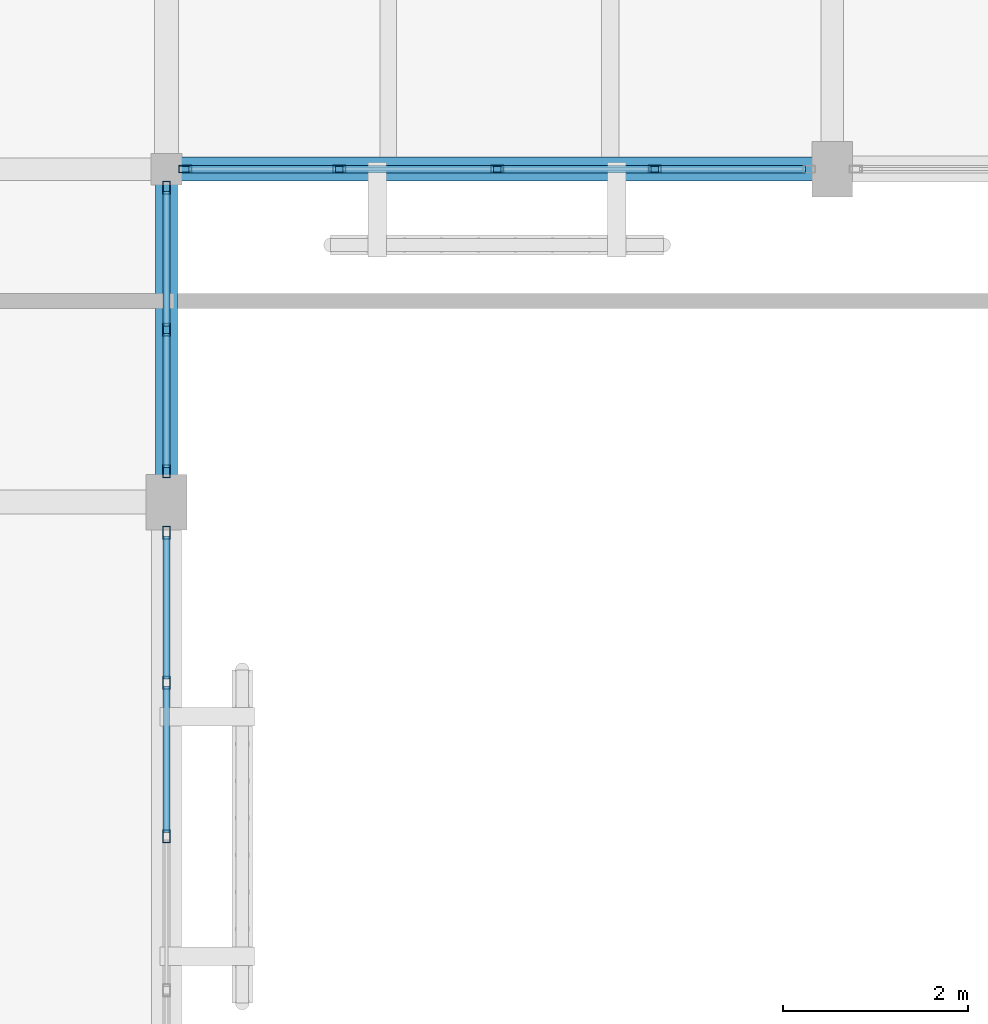
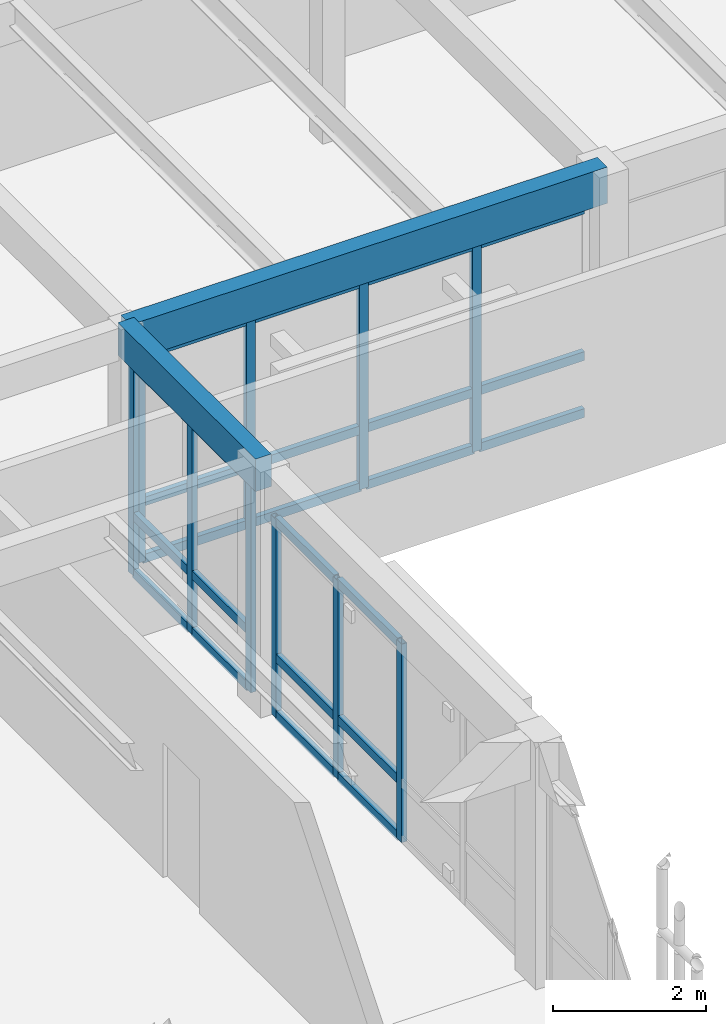
# One storey, part 151 of 217: 34 members, 2 beams, 3 elements without a shape of their own.
"""IFC4 building model written with IfcOpenShell, lengths in metres."""

from ifc_helpers import new_model, si_unit, direction, frame, origin, origin_2d, place, context, subcontext, project, spatial, rectangle, hollow_rectangle, extrude, material, layer, layer_set, material_profile, profile_set, type_object, element, aggregate, save


model = new_model("IFC4")

# Units and contexts
model_context = context("Model", 3, precision=1e-05, world=origin(), true_north=direction((0.0, 1.0)))
body_context = subcontext(model_context, "Body", "Model", "MODEL_VIEW")
ifc_project = project(units=[si_unit("LENGTHUNIT", "METRE"), si_unit("AREAUNIT", "SQUARE_METRE"), si_unit("VOLUMEUNIT", "CUBIC_METRE"), si_unit("PLANEANGLEUNIT", "RADIAN"), si_unit("MASSUNIT", "GRAM", prefix="KILO")], contexts=[model_context])

# Site, building, storey
site_placement = place(None, origin())
site = spatial("IfcSite", under=ifc_project, at=site_placement, CompositionType="ELEMENT")
building_placement = place(site_placement, origin())
building = spatial("IfcBuilding", under=site, at=building_placement, Name="Mazaris Harbour Polytechnic", CompositionType="ELEMENT")
storey_placement = place(building_placement, frame((0.0, 0.0, 9.60009765625)))
storey = spatial("IfcBuildingStorey", under=building, at=storey_placement, Name="L02", CompositionType="ELEMENT", Elevation=9.60009765625)

# Curtain wall, members
ifc_material_1 = material(Name="Anodised Bronze Aluminium and Low-E Glass", Category="aluminium")
ifc_layer = layer(ifc_material_1, 0.169921875, Name="Anodised Bronze Aluminium and Low-E Glass")
ifc_layer_set = layer_set([ifc_layer], Name="Anodised Bronze Aluminium and Low-E Glass")
curtain_wall_type = type_object("IfcCurtainWallType", Name="Studio North-Light Curtain Wall", PredefinedType="NOTDEFINED", material=ifc_layer_set)
curtain_wall_1_placement = place(storey_placement, origin())
curtain_wall_1 = element("IfcCurtainWall", 1, at=curtain_wall_1_placement, inside=storey, type_object=curtain_wall_type, Name="V5 L02 Curtain Wall 238", PredefinedType="NOTDEFINED")
ifc_material_2 = material(Name="Anodised Bronze Steel S355", Category="steel")
ifc_material_profile_1 = material_profile(ifc_material_2, hollow_rectangle(XDim=0.080078125, YDim=0.139892578125, WallThickness=0.00634765625, at=origin_2d()), Name="RHS 80x140x6.3")
ifc_profile_set_1 = profile_set([ifc_material_profile_1], Name="Anodised Bronze Steel S355")
member_type_1 = type_object("IfcMemberType", Name="Curtain Mullion RHS80x140", PredefinedType="MULLION", material=ifc_profile_set_1)
member_1_placement = place(storey_placement, frame((142.08154296875, 86.39990234375, 0.0), z_axis=(0.0, 0.0, 1.0), x_axis=(0.0, -1.0, 0.0)))
member_1 = element("IfcMember", 2, at=member_1_placement, type_object=member_type_1, Name="CW-03 mullion 2", PredefinedType="MULLION", context=body_context, shape_type="SweptSolid", body=[
    extrude(hollow_rectangle(XDim=0.080078125, YDim=0.139892578125, WallThickness=0.00634765625, at=origin_2d()), origin(), (0.0, 0.0, 1.0), 3.329833984375),
])
member_2_placement = place(storey_placement, frame((140.375, 86.39990234375, 0.0), z_axis=(0.0, 0.0, 1.0), x_axis=(0.0, -1.0, 0.0)))
member_2 = element("IfcMember", 3, at=member_2_placement, type_object=member_type_1, Name="CW-03 mullion 3", PredefinedType="MULLION", context=body_context, shape_type="SweptSolid", body=[
    extrude(hollow_rectangle(XDim=0.080078125, YDim=0.139892578125, WallThickness=0.00634765625, at=origin_2d()), origin(), (0.0, 0.0, 1.0), 3.329833984375),
])
member_3_placement = place(storey_placement, frame((138.66845703125, 86.39990234375, 0.0), z_axis=(0.0, 0.0, 1.0), x_axis=(0.0, -1.0, 0.0)))
member_3 = element("IfcMember", 4, at=member_3_placement, type_object=member_type_1, Name="CW-03 mullion 4", PredefinedType="MULLION", context=body_context, shape_type="SweptSolid", body=[
    extrude(hollow_rectangle(XDim=0.080078125, YDim=0.139892578125, WallThickness=0.00634765625, at=origin_2d()), origin(), (0.0, 0.0, 1.0), 3.329833984375),
])
member_4_placement = place(storey_placement, frame((137.001953125, 86.39990234375, 0.0), z_axis=(0.0, 0.0, 1.0), x_axis=(0.0, -1.0, 0.0)))
member_4 = element("IfcMember", 5, at=member_4_placement, type_object=member_type_1, Name="CW-03 mullion 5", PredefinedType="MULLION", context=body_context, shape_type="SweptSolid", body=[
    extrude(hollow_rectangle(XDim=0.080078125, YDim=0.139892578125, WallThickness=0.00634765625, at=origin_2d()), origin(), (0.0, 0.0, 1.0), 3.329833984375),
])

curtain_wall_2_placement = place(storey_placement, origin())
curtain_wall_2 = element("IfcCurtainWall", 6, at=curtain_wall_2_placement, inside=storey, type_object=curtain_wall_type, Name="V5 L02 Curtain Wall 243", PredefinedType="NOTDEFINED")
member_5_placement = place(storey_placement, frame((136.800048828125, 79.18505859375, 0.0), z_axis=(0.0, 0.0, 1.0), x_axis=(-1.0, 0.0, 0.0)))
member_5 = element("IfcMember", 7, at=member_5_placement, type_object=member_type_1, Name="CW-03 mullion 3", PredefinedType="MULLION", context=body_context, shape_type="SweptSolid", body=[
    extrude(hollow_rectangle(XDim=0.080078125, YDim=0.139892578125, WallThickness=0.00634765625, at=origin_2d()), origin(), (0.0, 0.0, 1.0), 3.169921875),
])
member_6_placement = place(storey_placement, frame((136.800048828125, 80.846435546875, 0.0), z_axis=(0.0, 0.0, 1.0), x_axis=(-1.0, 0.0, 0.0)))
member_6 = element("IfcMember", 8, at=member_6_placement, type_object=member_type_1, Name="CW-03 mullion 4", PredefinedType="MULLION", context=body_context, shape_type="SweptSolid", body=[
    extrude(hollow_rectangle(XDim=0.080078125, YDim=0.139892578125, WallThickness=0.00634765625, at=origin_2d()), origin(), (0.0, 0.0, 1.0), 3.169921875),
])
member_7_placement = place(storey_placement, frame((136.800048828125, 82.468017578125, 0.0), z_axis=(0.0, 0.0, 1.0), x_axis=(-1.0, 0.0, 0.0)))
member_7 = element("IfcMember", 9, at=member_7_placement, type_object=member_type_1, Name="CW-03 mullion 5", PredefinedType="MULLION", context=body_context, shape_type="SweptSolid", body=[
    extrude(hollow_rectangle(XDim=0.080078125, YDim=0.139892578125, WallThickness=0.00634765625, at=origin_2d()), origin(), (0.0, 0.0, 1.0), 3.169921875),
])

curtain_wall_3_placement = place(storey_placement, origin())
curtain_wall_3 = element("IfcCurtainWall", 10, at=curtain_wall_3_placement, inside=storey, type_object=curtain_wall_type, Name="V5 L02 Curtain Wall 244", PredefinedType="NOTDEFINED")
member_8_placement = place(storey_placement, frame((136.800048828125, 83.132080078125, 0.0), z_axis=(0.0, 0.0, 1.0), x_axis=(-1.0, 0.0, 0.0)))
member_8 = element("IfcMember", 11, at=member_8_placement, type_object=member_type_1, Name="CW-03 mullion 1", PredefinedType="MULLION", context=body_context, shape_type="SweptSolid", body=[
    extrude(hollow_rectangle(XDim=0.080078125, YDim=0.139892578125, WallThickness=0.00634765625, at=origin_2d()), origin(), (0.0, 0.0, 1.0), 3.389892578125),
])
member_9_placement = place(storey_placement, frame((136.800048828125, 84.6650390625, 0.0), z_axis=(0.0, 0.0, 1.0), x_axis=(-1.0, 0.0, 0.0)))
member_9 = element("IfcMember", 12, at=member_9_placement, type_object=member_type_1, Name="CW-03 mullion 2", PredefinedType="MULLION", context=body_context, shape_type="SweptSolid", body=[
    extrude(hollow_rectangle(XDim=0.080078125, YDim=0.139892578125, WallThickness=0.00634765625, at=origin_2d()), origin(), (0.0, 0.0, 1.0), 3.389892578125),
])
member_10_placement = place(storey_placement, frame((136.800048828125, 86.197998046875, 0.0), z_axis=(0.0, 0.0, 1.0), x_axis=(-1.0, 0.0, 0.0)))
member_10 = element("IfcMember", 13, at=member_10_placement, type_object=member_type_1, Name="CW-03 mullion 3", PredefinedType="MULLION", context=body_context, shape_type="SweptSolid", body=[
    extrude(hollow_rectangle(XDim=0.080078125, YDim=0.139892578125, WallThickness=0.00634765625, at=origin_2d()), origin(), (0.0, 0.0, 1.0), 3.389892578125),
])

# Member
ifc_material_3 = material(Name="Anodised Bronze Steel S355", Category="steel")
ifc_material_profile_2 = material_profile(ifc_material_3, hollow_rectangle(XDim=0.080078125, YDim=0.139892578125, WallThickness=0.00634765625, at=origin_2d()), Name="RHS 80x140x6.3")
ifc_profile_set_2 = profile_set([ifc_material_profile_2], Name="Anodised Bronze Steel S355")
member_type_2 = type_object("IfcMemberType", Name="Curtain Transom RHS80x140", PredefinedType="USERDEFINED", material=ifc_profile_set_2)
member_11_placement = place(storey_placement, frame((143.7080078125, 86.39990234375, 0.039794921875), z_axis=(-1.0, 0.0, 0.0), x_axis=(0.0, -1.0, 0.0)))
member_11 = element("IfcMember", 14, at=member_11_placement, type_object=member_type_2, Name="CW-03 transom 1.1", ObjectType="TRANSOM", PredefinedType="USERDEFINED", context=body_context, shape_type="SweptSolid", body=[
    extrude(hollow_rectangle(XDim=0.080078125, YDim=0.139892578125, WallThickness=0.00634765625, at=origin_2d()), origin(), (0.0, 0.0, 1.0), 1.58642578125),
])

member_12_placement = place(storey_placement, frame((143.7080078125, 86.39990234375, 0.949951171875), z_axis=(-1.0, 0.0, 0.0), x_axis=(0.0, -1.0, 0.0)))
member_12 = element("IfcMember", 15, at=member_12_placement, type_object=member_type_2, Name="CW-03 transom 1.2", ObjectType="TRANSOM", PredefinedType="USERDEFINED", context=body_context, shape_type="SweptSolid", body=[
    extrude(hollow_rectangle(XDim=0.080078125, YDim=0.139892578125, WallThickness=0.00634765625, at=origin_2d()), origin(), (0.0, 0.0, 1.0), 1.58642578125),
])

member_13_placement = place(storey_placement, frame((143.7080078125, 86.39990234375, 3.289794921875), z_axis=(-1.0, 0.0, 0.0), x_axis=(0.0, -1.0, 0.0)))
member_13 = element("IfcMember", 16, at=member_13_placement, type_object=member_type_2, Name="CW-03 transom 1.3", ObjectType="TRANSOM", PredefinedType="USERDEFINED", context=body_context, shape_type="SweptSolid", body=[
    extrude(hollow_rectangle(XDim=0.080078125, YDim=0.139892578125, WallThickness=0.00634765625, at=origin_2d()), origin(), (0.0, 0.0, 1.0), 1.58642578125),
])

member_14_placement = place(storey_placement, frame((142.04150390625, 86.39990234375, 0.039794921875), z_axis=(-1.0, 0.0, 0.0), x_axis=(0.0, -1.0, 0.0)))
member_14 = element("IfcMember", 17, at=member_14_placement, type_object=member_type_2, Name="CW-03 transom 2.1", ObjectType="TRANSOM", PredefinedType="USERDEFINED", context=body_context, shape_type="SweptSolid", body=[
    extrude(hollow_rectangle(XDim=0.080078125, YDim=0.139892578125, WallThickness=0.00634765625, at=origin_2d()), origin(), (0.0, 0.0, 1.0), 1.62646484375),
])

member_15_placement = place(storey_placement, frame((142.04150390625, 86.39990234375, 0.949951171875), z_axis=(-1.0, 0.0, 0.0), x_axis=(0.0, -1.0, 0.0)))
member_15 = element("IfcMember", 18, at=member_15_placement, type_object=member_type_2, Name="CW-03 transom 2.2", ObjectType="TRANSOM", PredefinedType="USERDEFINED", context=body_context, shape_type="SweptSolid", body=[
    extrude(hollow_rectangle(XDim=0.080078125, YDim=0.139892578125, WallThickness=0.00634765625, at=origin_2d()), origin(), (0.0, 0.0, 1.0), 1.62646484375),
])

member_16_placement = place(storey_placement, frame((142.04150390625, 86.39990234375, 3.289794921875), z_axis=(-1.0, 0.0, 0.0), x_axis=(0.0, -1.0, 0.0)))
member_16 = element("IfcMember", 19, at=member_16_placement, type_object=member_type_2, Name="CW-03 transom 2.3", ObjectType="TRANSOM", PredefinedType="USERDEFINED", context=body_context, shape_type="SweptSolid", body=[
    extrude(hollow_rectangle(XDim=0.080078125, YDim=0.139892578125, WallThickness=0.00634765625, at=origin_2d()), origin(), (0.0, 0.0, 1.0), 1.62646484375),
])

member_17_placement = place(storey_placement, frame((140.3349609375, 86.39990234375, 0.039794921875), z_axis=(-1.0, 0.0, 0.0), x_axis=(0.0, -1.0, 0.0)))
member_17 = element("IfcMember", 20, at=member_17_placement, type_object=member_type_2, Name="CW-03 transom 3.1", ObjectType="TRANSOM", PredefinedType="USERDEFINED", context=body_context, shape_type="SweptSolid", body=[
    extrude(hollow_rectangle(XDim=0.080078125, YDim=0.139892578125, WallThickness=0.00634765625, at=origin_2d()), origin(), (0.0, 0.0, 1.0), 1.62646484375),
])

member_18_placement = place(storey_placement, frame((140.3349609375, 86.39990234375, 0.949951171875), z_axis=(-1.0, 0.0, 0.0), x_axis=(0.0, -1.0, 0.0)))
member_18 = element("IfcMember", 21, at=member_18_placement, type_object=member_type_2, Name="CW-03 transom 3.2", ObjectType="TRANSOM", PredefinedType="USERDEFINED", context=body_context, shape_type="SweptSolid", body=[
    extrude(hollow_rectangle(XDim=0.080078125, YDim=0.139892578125, WallThickness=0.00634765625, at=origin_2d()), origin(), (0.0, 0.0, 1.0), 1.62646484375),
])

member_19_placement = place(storey_placement, frame((140.3349609375, 86.39990234375, 3.289794921875), z_axis=(-1.0, 0.0, 0.0), x_axis=(0.0, -1.0, 0.0)))
member_19 = element("IfcMember", 22, at=member_19_placement, type_object=member_type_2, Name="CW-03 transom 3.3", ObjectType="TRANSOM", PredefinedType="USERDEFINED", context=body_context, shape_type="SweptSolid", body=[
    extrude(hollow_rectangle(XDim=0.080078125, YDim=0.139892578125, WallThickness=0.00634765625, at=origin_2d()), origin(), (0.0, 0.0, 1.0), 1.62646484375),
])

member_20_placement = place(storey_placement, frame((138.62841796875, 86.39990234375, 0.039794921875), z_axis=(-1.0, 0.0, 0.0), x_axis=(0.0, -1.0, 0.0)))
member_20 = element("IfcMember", 23, at=member_20_placement, type_object=member_type_2, Name="CW-03 transom 4.1", ObjectType="TRANSOM", PredefinedType="USERDEFINED", context=body_context, shape_type="SweptSolid", body=[
    extrude(hollow_rectangle(XDim=0.080078125, YDim=0.139892578125, WallThickness=0.00634765625, at=origin_2d()), origin(), (0.0, 0.0, 1.0), 1.58642578125),
])

member_21_placement = place(storey_placement, frame((138.62841796875, 86.39990234375, 0.949951171875), z_axis=(-1.0, 0.0, 0.0), x_axis=(0.0, -1.0, 0.0)))
member_21 = element("IfcMember", 24, at=member_21_placement, type_object=member_type_2, Name="CW-03 transom 4.2", ObjectType="TRANSOM", PredefinedType="USERDEFINED", context=body_context, shape_type="SweptSolid", body=[
    extrude(hollow_rectangle(XDim=0.080078125, YDim=0.139892578125, WallThickness=0.00634765625, at=origin_2d()), origin(), (0.0, 0.0, 1.0), 1.58642578125),
])

member_22_placement = place(storey_placement, frame((138.62841796875, 86.39990234375, 3.289794921875), z_axis=(-1.0, 0.0, 0.0), x_axis=(0.0, -1.0, 0.0)))
member_22 = element("IfcMember", 25, at=member_22_placement, type_object=member_type_2, Name="CW-03 transom 4.3", ObjectType="TRANSOM", PredefinedType="USERDEFINED", context=body_context, shape_type="SweptSolid", body=[
    extrude(hollow_rectangle(XDim=0.080078125, YDim=0.139892578125, WallThickness=0.00634765625, at=origin_2d()), origin(), (0.0, 0.0, 1.0), 1.58642578125),
])

aggregate(curtain_wall_1, [member_1, member_2, member_3, member_4, member_11, member_12, member_13, member_14, member_15, member_16, member_17, member_18, member_19, member_20, member_21, member_22])

member_23_placement = place(storey_placement, frame((136.800048828125, 79.22509765625, 0.039794921875), z_axis=(0.0, 1.0, 0.0), x_axis=(-1.0, 0.0, 0.0)))
member_23 = element("IfcMember", 26, at=member_23_placement, type_object=member_type_2, Name="CW-03 transom 3.1", ObjectType="TRANSOM", PredefinedType="USERDEFINED", context=body_context, shape_type="SweptSolid", body=[
    extrude(hollow_rectangle(XDim=0.080078125, YDim=0.139892578125, WallThickness=0.00634765625, at=origin_2d()), origin(), (0.0, 0.0, 1.0), 1.581298828125),
])

member_24_placement = place(storey_placement, frame((136.800048828125, 79.22509765625, 0.949951171875), z_axis=(0.0, 1.0, 0.0), x_axis=(-1.0, 0.0, 0.0)))
member_24 = element("IfcMember", 27, at=member_24_placement, type_object=member_type_2, Name="CW-03 transom 3.2", ObjectType="TRANSOM", PredefinedType="USERDEFINED", context=body_context, shape_type="SweptSolid", body=[
    extrude(hollow_rectangle(XDim=0.080078125, YDim=0.139892578125, WallThickness=0.00634765625, at=origin_2d()), origin(), (0.0, 0.0, 1.0), 1.581298828125),
])

member_25_placement = place(storey_placement, frame((136.800048828125, 79.22509765625, 3.1298828125), z_axis=(0.0, 1.0, 0.0), x_axis=(-1.0, 0.0, 0.0)))
member_25 = element("IfcMember", 28, at=member_25_placement, type_object=member_type_2, Name="CW-03 transom 3.3", ObjectType="TRANSOM", PredefinedType="USERDEFINED", context=body_context, shape_type="SweptSolid", body=[
    extrude(hollow_rectangle(XDim=0.080078125, YDim=0.139892578125, WallThickness=0.00634765625, at=origin_2d()), origin(), (0.0, 0.0, 1.0), 1.581298828125),
])

member_26_placement = place(storey_placement, frame((136.800048828125, 80.886474609375, 0.039794921875), z_axis=(0.0, 1.0, 0.0), x_axis=(-1.0, 0.0, 0.0)))
member_26 = element("IfcMember", 29, at=member_26_placement, type_object=member_type_2, Name="CW-03 transom 4.1", ObjectType="TRANSOM", PredefinedType="USERDEFINED", context=body_context, shape_type="SweptSolid", body=[
    extrude(hollow_rectangle(XDim=0.080078125, YDim=0.139892578125, WallThickness=0.00634765625, at=origin_2d()), origin(), (0.0, 0.0, 1.0), 1.54150390625),
])

member_27_placement = place(storey_placement, frame((136.800048828125, 80.886474609375, 0.949951171875), z_axis=(0.0, 1.0, 0.0), x_axis=(-1.0, 0.0, 0.0)))
member_27 = element("IfcMember", 30, at=member_27_placement, type_object=member_type_2, Name="CW-03 transom 4.2", ObjectType="TRANSOM", PredefinedType="USERDEFINED", context=body_context, shape_type="SweptSolid", body=[
    extrude(hollow_rectangle(XDim=0.080078125, YDim=0.139892578125, WallThickness=0.00634765625, at=origin_2d()), origin(), (0.0, 0.0, 1.0), 1.54150390625),
])

member_28_placement = place(storey_placement, frame((136.800048828125, 80.886474609375, 3.1298828125), z_axis=(0.0, 1.0, 0.0), x_axis=(-1.0, 0.0, 0.0)))
member_28 = element("IfcMember", 31, at=member_28_placement, type_object=member_type_2, Name="CW-03 transom 4.3", ObjectType="TRANSOM", PredefinedType="USERDEFINED", context=body_context, shape_type="SweptSolid", body=[
    extrude(hollow_rectangle(XDim=0.080078125, YDim=0.139892578125, WallThickness=0.00634765625, at=origin_2d()), origin(), (0.0, 0.0, 1.0), 1.54150390625),
])

aggregate(curtain_wall_2, [member_5, member_6, member_7, member_23, member_24, member_25, member_26, member_27, member_28])

member_29_placement = place(storey_placement, frame((136.800048828125, 83.172119140625, 0.039794921875), z_axis=(0.0, 1.0, 0.0), x_axis=(-1.0, 0.0, 0.0)))
member_29 = element("IfcMember", 32, at=member_29_placement, type_object=member_type_2, Name="CW-03 transom 1.1", ObjectType="TRANSOM", PredefinedType="USERDEFINED", context=body_context, shape_type="SweptSolid", body=[
    extrude(hollow_rectangle(XDim=0.080078125, YDim=0.139892578125, WallThickness=0.00634765625, at=origin_2d()), origin(), (0.0, 0.0, 1.0), 1.452880859375),
])

member_30_placement = place(storey_placement, frame((136.800048828125, 83.172119140625, 0.949951171875), z_axis=(0.0, 1.0, 0.0), x_axis=(-1.0, 0.0, 0.0)))
member_30 = element("IfcMember", 33, at=member_30_placement, type_object=member_type_2, Name="CW-03 transom 1.2", ObjectType="TRANSOM", PredefinedType="USERDEFINED", context=body_context, shape_type="SweptSolid", body=[
    extrude(hollow_rectangle(XDim=0.080078125, YDim=0.139892578125, WallThickness=0.00634765625, at=origin_2d()), origin(), (0.0, 0.0, 1.0), 1.452880859375),
])

member_31_placement = place(storey_placement, frame((136.800048828125, 83.172119140625, 3.349853515625), z_axis=(0.0, 1.0, 0.0), x_axis=(-1.0, 0.0, 0.0)))
member_31 = element("IfcMember", 34, at=member_31_placement, type_object=member_type_2, Name="CW-03 transom 1.3", ObjectType="TRANSOM", PredefinedType="USERDEFINED", context=body_context, shape_type="SweptSolid", body=[
    extrude(hollow_rectangle(XDim=0.080078125, YDim=0.139892578125, WallThickness=0.00634765625, at=origin_2d()), origin(), (0.0, 0.0, 1.0), 1.452880859375),
])

member_32_placement = place(storey_placement, frame((136.800048828125, 84.705078125, 0.039794921875), z_axis=(0.0, 1.0, 0.0), x_axis=(-1.0, 0.0, 0.0)))
member_32 = element("IfcMember", 35, at=member_32_placement, type_object=member_type_2, Name="CW-03 transom 2.1", ObjectType="TRANSOM", PredefinedType="USERDEFINED", context=body_context, shape_type="SweptSolid", body=[
    extrude(hollow_rectangle(XDim=0.080078125, YDim=0.139892578125, WallThickness=0.00634765625, at=origin_2d()), origin(), (0.0, 0.0, 1.0), 1.452880859375),
])

member_33_placement = place(storey_placement, frame((136.800048828125, 84.705078125, 0.949951171875), z_axis=(0.0, 1.0, 0.0), x_axis=(-1.0, 0.0, 0.0)))
member_33 = element("IfcMember", 36, at=member_33_placement, type_object=member_type_2, Name="CW-03 transom 2.2", ObjectType="TRANSOM", PredefinedType="USERDEFINED", context=body_context, shape_type="SweptSolid", body=[
    extrude(hollow_rectangle(XDim=0.080078125, YDim=0.139892578125, WallThickness=0.00634765625, at=origin_2d()), origin(), (0.0, 0.0, 1.0), 1.452880859375),
])

member_34_placement = place(storey_placement, frame((136.800048828125, 84.705078125, 3.349853515625), z_axis=(0.0, 1.0, 0.0), x_axis=(-1.0, 0.0, 0.0)))
member_34 = element("IfcMember", 37, at=member_34_placement, type_object=member_type_2, Name="CW-03 transom 2.3", ObjectType="TRANSOM", PredefinedType="USERDEFINED", context=body_context, shape_type="SweptSolid", body=[
    extrude(hollow_rectangle(XDim=0.080078125, YDim=0.139892578125, WallThickness=0.00634765625, at=origin_2d()), origin(), (0.0, 0.0, 1.0), 1.452880859375),
])

aggregate(curtain_wall_3, [member_8, member_9, member_10, member_29, member_30, member_31, member_32, member_33, member_34])

# Beams
ifc_material_4 = material(Name="Glulam GL32h", Category="wood")
ifc_material_profile_3 = material_profile(ifc_material_4, rectangle(XDim=0.239990234375, YDim=0.52001953125, at=origin_2d()), Name="RECT240x520")
ifc_profile_set_3 = profile_set([ifc_material_profile_3], Name="Glulam GL32h")
beam_type_1 = type_object("IfcBeamType", Name="Glulam Girder 240x520", PredefinedType="BEAM", material=ifc_profile_set_3)
beam_1_placement = place(storey_placement, frame((136.800048828125, 82.800048828125, 3.659912109375), z_axis=(0.0, 1.0, 0.0), x_axis=(-1.0, 0.0, 0.0)))
element("IfcBeam", 38, at=beam_1_placement, inside=storey, type_object=beam_type_1, Name="V5 L02 Tie Girder 3190", PredefinedType="BEAM", context=body_context, shape_type="SweptSolid", body=[
    extrude(rectangle(XDim=0.239990234375, YDim=0.52001953125, at=origin_2d()), origin(), (0.0, 0.0, 1.0), 3.599853515625),
])
ifc_material_5 = material(Name="Glulam GL32h", Category="wood")
ifc_material_profile_4 = material_profile(ifc_material_5, rectangle(XDim=0.260009765625, YDim=0.580078125, at=origin_2d()), Name="RECT260x580")
ifc_profile_set_4 = profile_set([ifc_material_profile_4], Name="Glulam GL32h")
beam_type_2 = type_object("IfcBeamType", Name="Glulam Girder 260x580", PredefinedType="BEAM", material=ifc_profile_set_4)
beam_2_placement = place(storey_placement, frame((136.800048828125, 86.39990234375, 3.6298828125), z_axis=(1.0, 0.0, 0.0), x_axis=(0.0, 1.0, 0.0)))
element("IfcBeam", 39, at=beam_2_placement, inside=storey, type_object=beam_type_2, Name="V5 L02 Girder 3151", PredefinedType="BEAM", context=body_context, shape_type="SweptSolid", body=[
    extrude(rectangle(XDim=0.260009765625, YDim=0.580078125, at=origin_2d()), origin(), (0.0, 0.0, 1.0), 7.199951171875),
])

save(model, "model.ifc")
